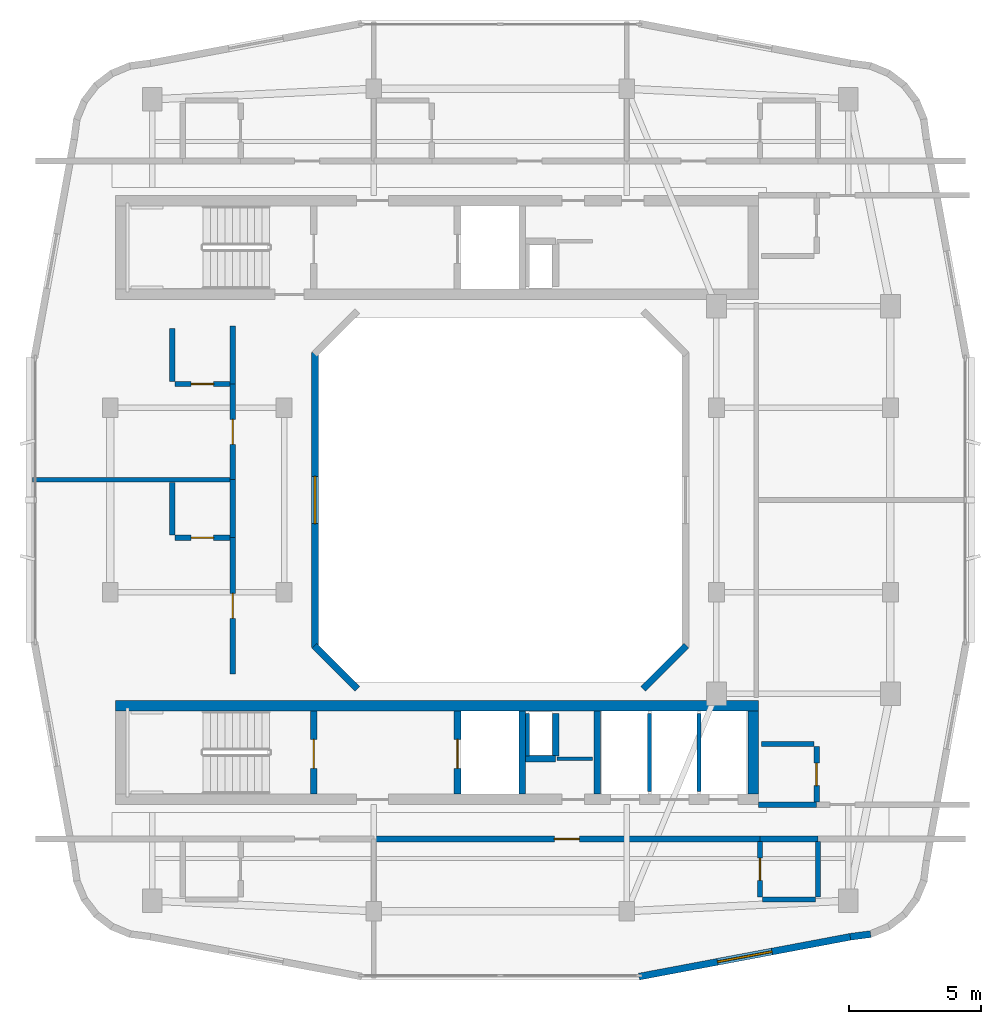
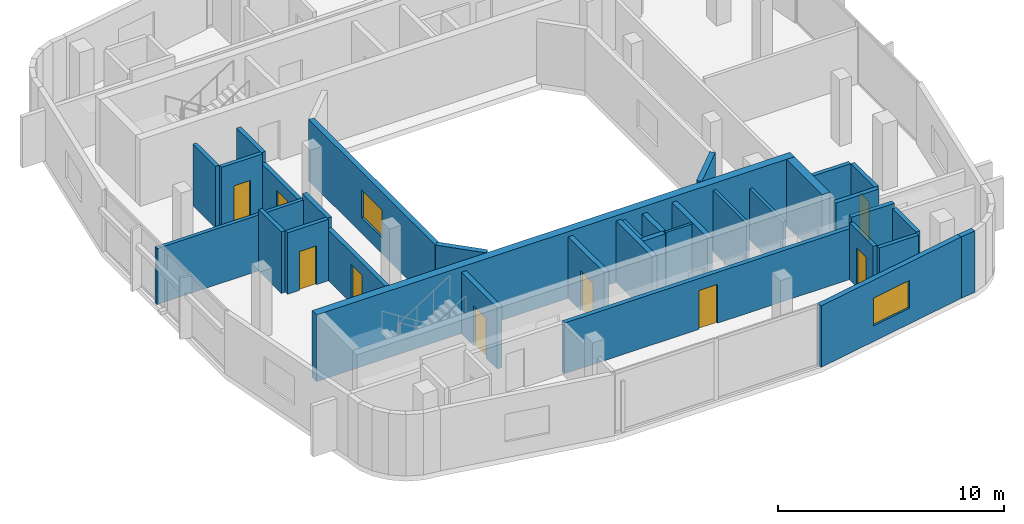
# One storey, part 5 of 10: 34 walls, 9 doors, 2 windows, 11 openings.
"""IFC4 building model written with IfcOpenShell, lengths in metres."""

from ifc_helpers import new_model, si_unit, derived_unit, direction, frame, frame_2d, origin, place, context, subcontext, project, spatial, rectangle, extrude, material, layer, layer_set, type_object, element, fill, save


model = new_model("IFC4")

# Units and contexts
model_context = context("Model", 3, precision=1e-05, world=origin(), true_north=direction((0.0, 1.0)))
body_context = subcontext(model_context, "Body", "Model", "MODEL_VIEW")
ifc_project = project(units=[si_unit("LENGTHUNIT", "METRE"), si_unit("AREAUNIT", "SQUARE_METRE"), si_unit("VOLUMEUNIT", "CUBIC_METRE"), si_unit("PLANEANGLEUNIT", "RADIAN"), si_unit("MASSUNIT", "GRAM", prefix="KILO"), derived_unit("THERMALTRANSMITTANCEUNIT", [(si_unit("POWERUNIT", "WATT"), 1), (si_unit("LENGTHUNIT", "METRE"), -2), (si_unit("THERMODYNAMICTEMPERATUREUNIT", "KELVIN"), -1)])], contexts=[model_context])

# Site, building, storey
site_placement = place(None, origin())
site = spatial("IfcSite", under=ifc_project, at=site_placement, CompositionType="ELEMENT")
building_placement = place(site_placement, origin())
building = spatial("IfcBuilding", under=site, at=building_placement, Name="Kivonza Crest Hotel", CompositionType="ELEMENT")
storey_placement = place(building_placement, frame((0.0, 0.0, 250.39990234375)))
storey = spatial("IfcBuildingStorey", under=building, at=storey_placement, Name="L68", CompositionType="ELEMENT", Elevation=250.39990234375)

# Walls
ifc_material_1 = material(Name="High-density acoustic masonry inter-tenancy wall", Category="masonry")
ifc_layer_1 = layer(ifc_material_1, 0.179931640625)
ifc_layer_set_1 = layer_set([ifc_layer_1], Name="High-density acoustic masonry inter-tenancy wall")
wall_type_1 = type_object("IfcWallType", Name="WL-ACOU-180", PredefinedType="SOLIDWALL", material=ifc_layer_set_1)
wall_1_placement = place(storey_placement, frame((3.260009765625, 25.77001953125, 0.0), z_axis=(0.0, 0.0, 1.0), x_axis=(1.0, 0.0, 0.0)))
element("IfcWall", 1, at=wall_1_placement, inside=storey, type_object=wall_type_1, Name="L68 interior partition WA-L68-T1W-DIV1", PredefinedType="SOLIDWALL", context=body_context, shape_type="SweptSolid", body=[
    extrude(rectangle(XDim=7.590087890625, YDim=0.179931640625, at=frame_2d((3.794921875, 0.0))), origin(), (0.0, 0.0, 1.0), 3.01513671875),
])
ifc_material_2 = material(Name="Autoclaved aerated concrete blockwork", Category="masonry")
ifc_layer_2 = layer(ifc_material_2, 0.219970703125)
ifc_layer_set_2 = layer_set([ifc_layer_2], Name="Autoclaved aerated concrete blockwork")
wall_type_2 = type_object("IfcWallType", Name="WL-ACOU-220", PredefinedType="SOLIDWALL", material=ifc_layer_set_2)
wall_2_placement = place(storey_placement, frame((30.85009765625, 12.139892578125, 0.0), z_axis=(0.0, 0.0, 1.0), x_axis=(1.0, 0.0, 0.0)))
element("IfcWall", 2, at=wall_2_placement, inside=storey, type_object=wall_type_2, Name="L68 interior partition WA-L68-S05-BCORR", PredefinedType="SOLIDWALL", context=body_context, shape_type="SweptSolid", body=[
    extrude(rectangle(XDim=2.199951171875, YDim=0.219970703125, at=frame_2d((1.10009765625, 0.0))), origin(), (0.0, 0.0, 1.0), 3.320068359375),
])

# Wall, opening, door
wall_3_placement = place(storey_placement, frame((16.199951171875, 12.139892578125, 0.0), z_axis=(0.0, 0.0, 1.0), x_axis=(1.0, 0.0, 0.0)))
wall_3 = element("IfcWall", 3, at=wall_3_placement, inside=storey, type_object=wall_type_2, Name="L68 interior partition WA-L68-S05-MCORR", PredefinedType="SOLIDWALL", context=body_context, shape_type="SweptSolid", body=[
    extrude(rectangle(XDim=14.650146484375, YDim=0.219970703125, at=frame_2d((7.3251953125, 0.0))), origin(), (0.0, 0.0, 1.0), 2.7451171875),
])
opening_1_placement = place(wall_3_placement, frame((6.85009765625, 0.0, 0.0)))
opening_1 = element("IfcOpeningElement", 4, at=opening_1_placement, cuts=wall_3, Name="Opening DU-60", PredefinedType="OPENING", context=body_context, shape_type="SweptSolid", body=[
    extrude(rectangle(XDim=0.949951171875, YDim=2.10009765625, at=frame_2d((0.47509765625, 1.050048828125))), frame((0.0, 0.1201171875, 0.0), z_axis=(0.0, -1.0, 0.0), x_axis=(1.0, 0.0, 0.0)), (0.0, 0.0, 1.0), 0.239990234375),
])
ifc_material_3 = material(Name="Hardwood timber oak", Category="wood")
door_type_1 = type_object("IfcDoorType", Name="DR-UNIT-950", OperationType="NOTDEFINED", PredefinedType="DOOR", material=ifc_material_3)
door_1_placement = place(opening_1_placement, frame((0.949951171875, 0.0, 0.0), z_axis=(0.0, 0.0, 1.0), x_axis=(-1.0, 0.0, 0.0)))
door_1 = element("IfcDoor", 5, at=door_1_placement, inside=storey, type_object=door_type_1, Name="L68 S05 guest unit entrance fire door", OperationType="SINGLE_SWING_LEFT", OverallHeight=2.10009765625, OverallWidth=0.949951171875, PredefinedType="DOOR", context=body_context, shape_type="SweptSolid", body=[
    extrude(rectangle(XDim=0.949951171875, YDim=2.10009765625, at=frame_2d((0.47509765625, 1.050048828125))), frame((0.0, 0.02490234375, 0.0), z_axis=(0.0, -1.0, 0.0), x_axis=(1.0, 0.0, 0.0)), (0.0, 0.0, 1.0), 0.050048828125),
])
fill(opening_1, door_1)

# Wall
wall_4_placement = place(storey_placement, frame((10.85009765625, 23.570068359375, 0.0), z_axis=(0.0, 0.0, 1.0), x_axis=(0.0, 1.0, 0.0)))
element("IfcWall", 6, at=wall_4_placement, inside=storey, type_object=wall_type_2, Name="L68 interior partition WA-L68-W06-BCORR", PredefinedType="SOLIDWALL", context=body_context, shape_type="SweptSolid", body=[
    extrude(rectangle(XDim=2.199951171875, YDim=0.219970703125, at=frame_2d((1.10009765625, 0.0))), origin(), (0.0, 0.0, 1.0), 3.320068359375),
])

# Wall, opening, door
wall_5_placement = place(storey_placement, frame((10.85009765625, 18.39990234375, 0.0), z_axis=(0.0, 0.0, 1.0), x_axis=(0.0, 1.0, 0.0)))
wall_5 = element("IfcWall", 7, at=wall_5_placement, inside=storey, type_object=wall_type_2, Name="L68 interior partition WA-L68-W06-MCORR", PredefinedType="SOLIDWALL", context=body_context, shape_type="SweptSolid", body=[
    extrude(rectangle(XDim=5.170166015625, YDim=0.219970703125, at=frame_2d((2.5849609375, 0.0))), origin(), (0.0, 0.0, 1.0), 2.7451171875),
])
opening_2_placement = place(wall_5_placement, frame((2.110107421875, 0.0, 0.0)))
opening_2 = element("IfcOpeningElement", 8, at=opening_2_placement, cuts=wall_5, Name="Opening DU-60", PredefinedType="OPENING", context=body_context, shape_type="SweptSolid", body=[
    extrude(rectangle(XDim=0.949951171875, YDim=2.10009765625, at=frame_2d((0.47509765625, 1.050048828125))), frame((0.0, 0.1201171875, 0.0), z_axis=(0.0, -1.0, 0.0), x_axis=(1.0, 0.0, 0.0)), (0.0, 0.0, 1.0), 0.239990234375),
])
door_2_placement = place(opening_2_placement, origin())
door_2 = element("IfcDoor", 9, at=door_2_placement, inside=storey, type_object=door_type_1, Name="L68 W06 guest unit entrance fire door", OperationType="SINGLE_SWING_RIGHT", OverallHeight=2.10009765625, OverallWidth=0.949951171875, PredefinedType="DOOR", context=body_context, shape_type="SweptSolid", body=[
    extrude(rectangle(XDim=0.949951171875, YDim=2.10009765625, at=frame_2d((0.47509765625, 1.050048828125))), frame((0.0, 0.02490234375, 0.0), z_axis=(0.0, -1.0, 0.0), x_axis=(1.0, 0.0, 0.0)), (0.0, 0.0, 1.0), 0.050048828125),
])
fill(opening_2, door_2)

# Wall
wall_6_placement = place(storey_placement, frame((10.85009765625, 29.39990234375, 0.0), z_axis=(0.0, 0.0, 1.0), x_axis=(0.0, 1.0, 0.0)))
element("IfcWall", 10, at=wall_6_placement, inside=storey, type_object=wall_type_2, Name="L68 interior partition WA-L68-W07-BCORR", PredefinedType="SOLIDWALL", context=body_context, shape_type="SweptSolid", body=[
    extrude(rectangle(XDim=2.2001953125, YDim=0.219970703125, at=frame_2d((1.10009765625, 0.0))), origin(), (0.0, 0.0, 1.0), 3.320068359375),
])

# Wall, opening, door
wall_7_placement = place(storey_placement, frame((10.85009765625, 25.77001953125, 0.0), z_axis=(0.0, 0.0, 1.0), x_axis=(0.0, 1.0, 0.0)))
wall_7 = element("IfcWall", 11, at=wall_7_placement, inside=storey, type_object=wall_type_2, Name="L68 interior partition WA-L68-W07-MCORR", PredefinedType="SOLIDWALL", context=body_context, shape_type="SweptSolid", body=[
    extrude(rectangle(XDim=3.6298828125, YDim=0.219970703125, at=frame_2d((1.81494140625, 0.0))), origin(), (0.0, 0.0, 1.0), 2.7451171875),
])
opening_3_placement = place(wall_7_placement, frame((1.340087890625, 0.0, 0.0)))
opening_3 = element("IfcOpeningElement", 12, at=opening_3_placement, cuts=wall_7, Name="Opening DU-60", PredefinedType="OPENING", context=body_context, shape_type="SweptSolid", body=[
    extrude(rectangle(XDim=0.949951171875, YDim=2.10009765625, at=frame_2d((0.47509765625, 1.050048828125))), frame((0.0, 0.1201171875, 0.0), z_axis=(0.0, -1.0, 0.0), x_axis=(1.0, 0.0, 0.0)), (0.0, 0.0, 1.0), 0.239990234375),
])
door_3_placement = place(opening_3_placement, origin())
door_3 = element("IfcDoor", 13, at=door_3_placement, inside=storey, type_object=door_type_1, Name="L68 W07 guest unit entrance fire door", OperationType="SINGLE_SWING_LEFT", OverallHeight=2.10009765625, OverallWidth=0.949951171875, PredefinedType="DOOR", context=body_context, shape_type="SweptSolid", body=[
    extrude(rectangle(XDim=0.949951171875, YDim=2.10009765625, at=frame_2d((0.47509765625, 1.050048828125))), frame((0.0, 0.02490234375, 0.0), z_axis=(0.0, -1.0, 0.0), x_axis=(1.0, 0.0, 0.0)), (0.0, 0.0, 1.0), 0.050048828125),
])
fill(opening_3, door_3)

# Walls
wall_8_placement = place(storey_placement, frame((30.800048828125, 13.43994140625, 0.0), z_axis=(0.0, 0.0, 1.0), x_axis=(1.0, 0.0, 0.0)))
element("IfcWall", 14, at=wall_8_placement, inside=storey, type_object=wall_type_2, Name="L68 interior partition WA-L68-ES08-BCORR", PredefinedType="SOLIDWALL", context=body_context, shape_type="SweptSolid", body=[
    extrude(rectangle(XDim=2.199951171875, YDim=0.219970703125, at=frame_2d((1.10009765625, 0.0))), origin(), (0.0, 0.0, 1.0), 3.320068359375),
])
ifc_material_4 = material(Name="Concrete C50/60", Category="concrete")
ifc_layer_3 = layer(ifc_material_4, 0.39990234375)
ifc_layer_set_3 = layer_set([ifc_layer_3], Name="Concrete C50/60")
wall_type_3 = type_object("IfcWallType", Name="WL-CORE-400", PredefinedType="SHEAR", material=ifc_layer_set_3)
wall_9_placement = place(storey_placement, frame((6.39990234375, 17.199951171875, 0.0), z_axis=(0.0, 0.0, 1.0), x_axis=(1.0, 0.0, 0.0)))
element("IfcWall", 15, at=wall_9_placement, inside=storey, type_object=wall_type_3, Name="Core wall T1-S North L68", PredefinedType="SHEAR", context=body_context, shape_type="SweptSolid", body=[
    extrude(rectangle(XDim=24.400146484375, YDim=0.39990234375, at=frame_2d((12.2001953125, 0.0))), origin(), (0.0, 0.0, 1.0), 3.60009765625),
])
wall_10_placement = place(storey_placement, frame((30.60009765625, 13.840087890625, 0.0), z_axis=(0.0, 0.0, 1.0), x_axis=(0.0, 1.0, 0.0)))
element("IfcWall", 16, at=wall_10_placement, inside=storey, type_object=wall_type_3, Name="Core wall T1-S East L68", PredefinedType="SHEAR", context=body_context, shape_type="SweptSolid", body=[
    extrude(rectangle(XDim=3.159912109375, YDim=0.39990234375, at=frame_2d((1.580078125, 0.0))), origin(), (0.0, 0.0, 1.0), 3.60009765625),
])

# Wall, opening, window
ifc_material_5 = material(Name="Precast concrete C40/50", Category="concrete")
ifc_layer_4 = layer(ifc_material_5, 0.260009765625)
ifc_layer_set_4 = layer_set([ifc_layer_4], Name="Precast concrete C40/50")
wall_type_4 = type_object("IfcWallType", Name="WL-EXT-260", PredefinedType="STANDARD", material=ifc_layer_set_4)
wall_11_placement = place(storey_placement, frame((26.261962890625, 6.91796875, 0.0), z_axis=(0.0, 0.0, 1.0), x_axis=(0.982719489139, 0.185101068789, 0.0)))
wall_11 = element("IfcWall", 17, at=wall_11_placement, inside=storey, type_object=wall_type_4, Name="L68 T1 exterior insulated wall 9", PredefinedType="STANDARD", context=body_context, shape_type="SweptSolid", body=[
    extrude(rectangle(XDim=8.1630859375, YDim=0.260009765625, at=frame_2d((4.08154296875, 0.0))), origin(), (0.0, 0.0, 1.0), 3.320068359375),
])
opening_4_placement = place(wall_11_placement, frame((3.031982421875, 0.0, 0.85009765625)))
opening_4 = element("IfcOpeningElement", 18, at=opening_4_placement, cuts=wall_11, Name="Opening WN-04", PredefinedType="OPENING", context=body_context, shape_type="SweptSolid", body=[
    extrude(rectangle(XDim=2.10009765625, YDim=1.5, at=frame_2d((1.050048828125, 0.75))), frame((0.0, 0.14013671875, 0.0), z_axis=(0.0, -1.0, 0.0), x_axis=(1.0, 0.0, 0.0)), (0.0, 0.0, 1.0), 0.280029296875),
])
ifc_material_6 = material(Name="Thermally broken bronze aluminium and low-E double glazing", Category="aluminium")
window_type_1 = type_object("IfcWindowType", Name="WN-210x150", PartitioningType="DOUBLE_PANEL_VERTICAL", PredefinedType="WINDOW", material=ifc_material_6)
window_1_placement = place(opening_4_placement, origin())
window_1 = element("IfcWindow", 19, at=window_1_placement, inside=storey, type_object=window_type_1, Name="L68 T1 facade window 9", OverallHeight=1.5, OverallWidth=2.10009765625, PartitioningType="SINGLE_PANEL", PredefinedType="WINDOW", context=body_context, shape_type="SweptSolid", body=[
    extrude(rectangle(XDim=2.10009765625, YDim=1.5, at=frame_2d((1.050048828125, 0.75))), frame((0.0, 0.030029296875, 0.0), z_axis=(0.0, -1.0, 0.0), x_axis=(1.0, 0.0, 0.0)), (0.0, 0.0, 1.0), 0.06005859375),
])
fill(opening_4, window_1)

# Walls
wall_12_placement = place(storey_placement, frame((34.27490234375, 8.427978515625, 0.0), z_axis=(0.0, 0.0, 1.0), x_axis=(0.991423406861, 0.130689052056, 0.0)))
element("IfcWall", 20, at=wall_12_placement, inside=storey, type_object=wall_type_4, Name="L68 T1 exterior insulated wall 10", PredefinedType="STANDARD", context=body_context, shape_type="SweptSolid", body=[
    extrude(rectangle(XDim=0.78076171875, YDim=0.260009765625, at=frame_2d((0.390380859375, 0.0))), origin(), (0.0, 0.0, 1.0), 3.320068359375),
])
wall_13_placement = place(storey_placement, frame((26.422119140625, 17.837890625, 0.0), z_axis=(0.0, 0.0, 1.0), x_axis=(0.707053950914, 0.707159607512, 0.0)))
element("IfcWall", 21, at=wall_13_placement, inside=storey, type_object=wall_type_4, Name="L68 T1 light-well exterior wall 2", PredefinedType="STANDARD", context=body_context, shape_type="SweptSolid", body=[
    extrude(rectangle(XDim=2.310791015625, YDim=0.260009765625, at=frame_2d((1.1552734375, 0.0))), origin(), (0.0, 0.0, 1.0), 3.320068359375),
])

# Wall, opening, window
wall_14_placement = place(storey_placement, frame((13.969970703125, 30.590087890625, 0.0), z_axis=(0.0, 0.0, 1.0), x_axis=(0.0, -1.0, 0.0)))
wall_14 = element("IfcWall", 22, at=wall_14_placement, inside=storey, type_object=wall_type_4, Name="L68 T1 light-well exterior wall 7", PredefinedType="STANDARD", context=body_context, shape_type="SweptSolid", body=[
    extrude(rectangle(XDim=11.18017578125, YDim=0.260009765625, at=frame_2d((5.590087890625, 0.0))), origin(), (0.0, 0.0, 1.0), 3.320068359375),
])
opening_5_placement = place(wall_14_placement, frame((4.68994140625, 0.0, 0.85009765625)))
opening_5 = element("IfcOpeningElement", 23, at=opening_5_placement, cuts=wall_14, Name="Opening WN-03", PredefinedType="OPENING", context=body_context, shape_type="SweptSolid", body=[
    extrude(rectangle(XDim=1.800048828125, YDim=1.5, at=frame_2d((0.89990234375, 0.75))), frame((0.0, 0.14013671875, 0.0), z_axis=(0.0, -1.0, 0.0), x_axis=(1.0, 0.0, 0.0)), (0.0, 0.0, 1.0), 0.280029296875),
])
window_type_2 = type_object("IfcWindowType", Name="WN-180x150", PartitioningType="DOUBLE_PANEL_VERTICAL", PredefinedType="WINDOW", material=ifc_material_6)
window_2_placement = place(opening_5_placement, origin())
window_2 = element("IfcWindow", 24, at=window_2_placement, inside=storey, type_object=window_type_2, Name="L68 T1 light-well window 7", OverallHeight=1.5, OverallWidth=1.800048828125, PartitioningType="SINGLE_PANEL", PredefinedType="WINDOW", context=body_context, shape_type="SweptSolid", body=[
    extrude(rectangle(XDim=1.800048828125, YDim=1.5, at=frame_2d((0.89990234375, 0.75))), frame((0.0, 0.030029296875, 0.0), z_axis=(0.0, -1.0, 0.0), x_axis=(1.0, 0.0, 0.0)), (0.0, 0.0, 1.0), 0.06005859375),
])
fill(opening_5, window_2)

# Walls
wall_15_placement = place(storey_placement, frame((13.944091796875, 19.471923828125, 0.0), z_axis=(0.0, 0.0, 1.0), x_axis=(0.707053950914, -0.707159607512, 0.0)))
element("IfcWall", 25, at=wall_15_placement, inside=storey, type_object=wall_type_4, Name="L68 T1 light-well exterior wall 8", PredefinedType="STANDARD", context=body_context, shape_type="SweptSolid", body=[
    extrude(rectangle(XDim=2.310791015625, YDim=0.260009765625, at=frame_2d((1.1552734375, 0.0))), origin(), (0.0, 0.0, 1.0), 3.320068359375),
])
ifc_material_7 = material(Name="Concrete blockwork fire-compartment wall", Category="masonry")
ifc_layer_5 = layer(ifc_material_7, 0.25)
ifc_layer_set_5 = layer_set([ifc_layer_5], Name="Concrete blockwork fire-compartment wall")
wall_type_5 = type_object("IfcWallType", Name="WL-FIRE-250", PredefinedType="SOLIDWALL", material=ifc_layer_set_5)
wall_16_placement = place(storey_placement, frame((23.10009765625, 15.280029296875, 0.0), z_axis=(0.0, 0.0, 1.0), x_axis=(0.0, 1.0, 0.0)))
element("IfcWall", 26, at=wall_16_placement, inside=storey, type_object=wall_type_5, Name="L68 interior partition WA-L68-T1-S-MEPR-E", PredefinedType="SOLIDWALL", context=body_context, shape_type="SweptSolid", body=[
    extrude(rectangle(XDim=1.619873046875, YDim=0.25, at=frame_2d((0.81005859375, 0.0))), origin(), (0.0, 0.0, 1.0), 3.320068359375),
])
wall_17_placement = place(storey_placement, frame((21.949951171875, 15.179931640625, 0.0), z_axis=(0.0, 0.0, 1.0), x_axis=(1.0, 0.0, 0.0)))
element("IfcWall", 27, at=wall_17_placement, inside=storey, type_object=wall_type_5, Name="L68 interior partition WA-L68-T1-S-MEPR-H", PredefinedType="SOLIDWALL", context=body_context, shape_type="SweptSolid", body=[
    extrude(rectangle(XDim=1.150146484375, YDim=0.25, at=frame_2d((0.5751953125, 0.0))), origin(), (0.0, 0.0, 1.0), 3.320068359375),
])
ifc_material_8 = material(Name="Metal-stud gypsum board partition", Category="gypsum")
ifc_layer_6 = layer(ifc_material_8, 0.125)
ifc_layer_set_6 = layer_set([ifc_layer_6], Name="Metal-stud gypsum board partition")
wall_type_6 = type_object("IfcWallType", Name="WL-PART-125", PredefinedType="PARTITIONING", material=ifc_layer_set_6)
wall_18_placement = place(storey_placement, frame((23.14990234375, 15.179931640625, 0.0), z_axis=(0.0, 0.0, 1.0), x_axis=(1.0, 0.0, 0.0)))
element("IfcWall", 28, at=wall_18_placement, inside=storey, type_object=wall_type_6, Name="L68 interior partition WP-L68-T1-S-SV2H", PredefinedType="PARTITIONING", context=body_context, shape_type="SweptSolid", body=[
    extrude(rectangle(XDim=1.35009765625, YDim=0.125, at=frame_2d((0.675048828125, 0.0))), origin(), (0.0, 0.0, 1.0), 3.320068359375),
])
ifc_material_9 = material(Name="Twin-stud acoustic gypsum board partition", Category="gypsum")
ifc_layer_7 = layer(ifc_material_9, 0.14990234375)
ifc_layer_set_7 = layer_set([ifc_layer_7], Name="Twin-stud acoustic gypsum board partition")
wall_type_7 = type_object("IfcWallType", Name="WL-PART-150", PredefinedType="PARTITIONING", material=ifc_layer_set_7)
wall_19_placement = place(storey_placement, frame((22.030029296875, 15.280029296875, 0.0), z_axis=(0.0, 0.0, 1.0), x_axis=(0.0, 1.0, 0.0)))
element("IfcWall", 29, at=wall_19_placement, inside=storey, type_object=wall_type_7, Name="L68 interior partition WA-L68-T1-S-MEPR-W", PredefinedType="PARTITIONING", context=body_context, shape_type="SweptSolid", body=[
    extrude(rectangle(XDim=1.619873046875, YDim=0.14990234375, at=frame_2d((0.81005859375, 0.0))), origin(), (0.0, 0.0, 1.0), 3.320068359375),
])
wall_20_placement = place(storey_placement, frame((26.6669921875, 13.93994140625, 0.0), z_axis=(0.0, 0.0, 1.0), x_axis=(0.0, 1.0, 0.0)))
element("IfcWall", 30, at=wall_20_placement, inside=storey, type_object=wall_type_7, Name="L68 interior partition WP-L68-T1-S-BSH-1", PredefinedType="PARTITIONING", context=body_context, shape_type="SweptSolid", body=[
    extrude(rectangle(XDim=2.9599609375, YDim=0.14990234375, at=frame_2d((1.47998046875, 0.0))), origin(), (0.0, 0.0, 1.0), 3.320068359375),
])
wall_21_placement = place(storey_placement, frame((28.532958984375, 13.93994140625, 0.0), z_axis=(0.0, 0.0, 1.0), x_axis=(0.0, 1.0, 0.0)))
element("IfcWall", 31, at=wall_21_placement, inside=storey, type_object=wall_type_7, Name="L68 interior partition WP-L68-T1-S-BSH-2", PredefinedType="PARTITIONING", context=body_context, shape_type="SweptSolid", body=[
    extrude(rectangle(XDim=2.9599609375, YDim=0.14990234375, at=frame_2d((1.47998046875, 0.0))), origin(), (0.0, 0.0, 1.0), 2.7451171875),
])

# Wall, opening, door
ifc_material_10 = material(Name="Moisture-resistant plumbing chase partition wall", Category="gypsum")
ifc_layer_8 = layer(ifc_material_10, 0.199951171875)
ifc_layer_set_8 = layer_set([ifc_layer_8], Name="Moisture-resistant plumbing chase partition wall")
wall_type_8 = type_object("IfcWallType", Name="WL-PLUMB-200", PredefinedType="PLUMBINGWALL", material=ifc_layer_set_8)
wall_22_placement = place(storey_placement, frame((30.85009765625, 9.93994140625, 0.0), z_axis=(0.0, 0.0, 1.0), x_axis=(0.0, 1.0, 0.0)))
wall_22 = element("IfcWall", 32, at=wall_22_placement, inside=storey, type_object=wall_type_8, Name="L68 interior partition WW-L68-S05-BV", PredefinedType="PLUMBINGWALL", context=body_context, shape_type="SweptSolid", body=[
    extrude(rectangle(XDim=2.10009765625, YDim=0.199951171875, at=frame_2d((1.050048828125, 0.0))), origin(), (0.0, 0.0, 1.0), 3.05517578125),
])
opening_6_placement = place(wall_22_placement, frame((0.625, 0.0, 0.0)))
opening_6 = element("IfcOpeningElement", 33, at=opening_6_placement, cuts=wall_22, Name="Opening DI-85", PredefinedType="OPENING", context=body_context, shape_type="SweptSolid", body=[
    extrude(rectangle(XDim=0.85009765625, YDim=2.10009765625, at=frame_2d((0.425048828125, 1.050048828125))), frame((0.0, 0.10986328125, 0.0), z_axis=(0.0, -1.0, 0.0), x_axis=(1.0, 0.0, 0.0)), (0.0, 0.0, 1.0), 0.219970703125),
])
door_type_2 = type_object("IfcDoorType", Name="DR-INT-850", OperationType="NOTDEFINED", PredefinedType="DOOR", material=ifc_material_3)
door_4_placement = place(opening_6_placement, origin())
door_4 = element("IfcDoor", 34, at=door_4_placement, inside=storey, type_object=door_type_2, Name="L68 S05 en-suite bathroom door", OperationType="SINGLE_SWING_RIGHT", OverallHeight=2.10009765625, OverallWidth=0.85009765625, PredefinedType="DOOR", context=body_context, shape_type="SweptSolid", body=[
    extrude(rectangle(XDim=0.85009765625, YDim=2.10009765625, at=frame_2d((0.425048828125, 1.050048828125))), frame((0.0, 0.02490234375, 0.0), z_axis=(0.0, -1.0, 0.0), x_axis=(1.0, 0.0, 0.0)), (0.0, 0.0, 1.0), 0.050048828125),
])
fill(opening_6, door_4)

# Walls
wall_23_placement = place(storey_placement, frame((30.949951171875, 9.840087890625, 0.0), z_axis=(0.0, 0.0, 1.0), x_axis=(1.0, 0.0, 0.0)))
element("IfcWall", 35, at=wall_23_placement, inside=storey, type_object=wall_type_8, Name="L68 interior partition WW-L68-S05-BH", PredefinedType="PLUMBINGWALL", context=body_context, shape_type="SweptSolid", body=[
    extrude(rectangle(XDim=2.0, YDim=0.199951171875, at=frame_2d((1.0, 0.0))), origin(), (0.0, 0.0, 1.0), 3.01513671875),
])
wall_24_placement = place(storey_placement, frame((33.050048828125, 9.93994140625, 0.0), z_axis=(0.0, 0.0, 1.0), x_axis=(0.0, 1.0, 0.0)))
element("IfcWall", 36, at=wall_24_placement, inside=storey, type_object=wall_type_8, Name="L68 interior partition WW-L68-S05-BVE", PredefinedType="PLUMBINGWALL", context=body_context, shape_type="SweptSolid", body=[
    extrude(rectangle(XDim=2.10009765625, YDim=0.199951171875, at=frame_2d((1.050048828125, 0.0))), origin(), (0.0, 0.0, 1.0), 3.05517578125),
])

# Wall, opening, door
wall_25_placement = place(storey_placement, frame((8.64990234375, 23.570068359375, 0.0), z_axis=(0.0, 0.0, 1.0), x_axis=(1.0, 0.0, 0.0)))
wall_25 = element("IfcWall", 37, at=wall_25_placement, inside=storey, type_object=wall_type_8, Name="L68 interior partition WW-L68-W06-BH", PredefinedType="PLUMBINGWALL", context=body_context, shape_type="SweptSolid", body=[
    extrude(rectangle(XDim=2.10009765625, YDim=0.199951171875, at=frame_2d((1.050048828125, 0.0))), origin(), (0.0, 0.0, 1.0), 3.320068359375),
])
opening_7_placement = place(wall_25_placement, frame((0.625, 0.0, 0.0)))
opening_7 = element("IfcOpeningElement", 38, at=opening_7_placement, cuts=wall_25, Name="Opening DI-85", PredefinedType="OPENING", context=body_context, shape_type="SweptSolid", body=[
    extrude(rectangle(XDim=0.85009765625, YDim=2.10009765625, at=frame_2d((0.425048828125, 1.050048828125))), frame((0.0, 0.10986328125, 0.0), z_axis=(0.0, -1.0, 0.0), x_axis=(1.0, 0.0, 0.0)), (0.0, 0.0, 1.0), 0.219970703125),
])
door_5_placement = place(opening_7_placement, frame((0.85009765625, 0.0, 0.0), z_axis=(0.0, 0.0, 1.0), x_axis=(-1.0, 0.0, 0.0)))
door_5 = element("IfcDoor", 39, at=door_5_placement, inside=storey, type_object=door_type_2, Name="L68 W06 en-suite bathroom door", OperationType="SINGLE_SWING_LEFT", OverallHeight=2.10009765625, OverallWidth=0.85009765625, PredefinedType="DOOR", context=body_context, shape_type="SweptSolid", body=[
    extrude(rectangle(XDim=0.85009765625, YDim=2.10009765625, at=frame_2d((0.425048828125, 1.050048828125))), frame((0.0, 0.02490234375, 0.0), z_axis=(0.0, -1.0, 0.0), x_axis=(1.0, 0.0, 0.0)), (0.0, 0.0, 1.0), 0.050048828125),
])
fill(opening_7, door_5)

# Wall
wall_26_placement = place(storey_placement, frame((8.550048828125, 23.669921875, 0.0), z_axis=(0.0, 0.0, 1.0), x_axis=(0.0, 1.0, 0.0)))
element("IfcWall", 40, at=wall_26_placement, inside=storey, type_object=wall_type_8, Name="L68 interior partition WW-L68-W06-BV", PredefinedType="PLUMBINGWALL", context=body_context, shape_type="SweptSolid", body=[
    extrude(rectangle(XDim=2.0, YDim=0.199951171875, at=frame_2d((1.0, 0.0))), origin(), (0.0, 0.0, 1.0), 3.320068359375),
])

# Wall, opening, door
wall_27_placement = place(storey_placement, frame((8.64990234375, 29.39990234375, 0.0), z_axis=(0.0, 0.0, 1.0), x_axis=(1.0, 0.0, 0.0)))
wall_27 = element("IfcWall", 41, at=wall_27_placement, inside=storey, type_object=wall_type_8, Name="L68 interior partition WW-L68-W07-BH", PredefinedType="PLUMBINGWALL", context=body_context, shape_type="SweptSolid", body=[
    extrude(rectangle(XDim=2.10009765625, YDim=0.199951171875, at=frame_2d((1.050048828125, 0.0))), origin(), (0.0, 0.0, 1.0), 3.320068359375),
])
opening_8_placement = place(wall_27_placement, frame((0.625, 0.0, 0.0)))
opening_8 = element("IfcOpeningElement", 42, at=opening_8_placement, cuts=wall_27, Name="Opening DI-85", PredefinedType="OPENING", context=body_context, shape_type="SweptSolid", body=[
    extrude(rectangle(XDim=0.85009765625, YDim=2.10009765625, at=frame_2d((0.425048828125, 1.050048828125))), frame((0.0, 0.10986328125, 0.0), z_axis=(0.0, -1.0, 0.0), x_axis=(1.0, 0.0, 0.0)), (0.0, 0.0, 1.0), 0.219970703125),
])
door_6_placement = place(opening_8_placement, frame((0.85009765625, 0.0, 0.0), z_axis=(0.0, 0.0, 1.0), x_axis=(-1.0, 0.0, 0.0)))
door_6 = element("IfcDoor", 43, at=door_6_placement, inside=storey, type_object=door_type_2, Name="L68 W07 en-suite bathroom door", OperationType="SINGLE_SWING_RIGHT", OverallHeight=2.10009765625, OverallWidth=0.85009765625, PredefinedType="DOOR", context=body_context, shape_type="SweptSolid", body=[
    extrude(rectangle(XDim=0.85009765625, YDim=2.10009765625, at=frame_2d((0.425048828125, 1.050048828125))), frame((0.0, 0.02490234375, 0.0), z_axis=(0.0, -1.0, 0.0), x_axis=(1.0, 0.0, 0.0)), (0.0, 0.0, 1.0), 0.050048828125),
])
fill(opening_8, door_6)

# Wall
wall_28_placement = place(storey_placement, frame((8.550048828125, 29.5, 0.0), z_axis=(0.0, 0.0, 1.0), x_axis=(0.0, 1.0, 0.0)))
element("IfcWall", 44, at=wall_28_placement, inside=storey, type_object=wall_type_8, Name="L68 interior partition WW-L68-W07-BV", PredefinedType="PLUMBINGWALL", context=body_context, shape_type="SweptSolid", body=[
    extrude(rectangle(XDim=2.0, YDim=0.199951171875, at=frame_2d((1.0, 0.0))), origin(), (0.0, 0.0, 1.0), 3.320068359375),
])

# Wall, opening, door
wall_29_placement = place(storey_placement, frame((33.0, 13.5400390625, 0.0), z_axis=(0.0, 0.0, 1.0), x_axis=(0.0, 1.0, 0.0)))
wall_29 = element("IfcWall", 45, at=wall_29_placement, inside=storey, type_object=wall_type_8, Name="L68 interior partition WW-L68-ES08-BV", PredefinedType="PLUMBINGWALL", context=body_context, shape_type="SweptSolid", body=[
    extrude(rectangle(XDim=2.099853515625, YDim=0.199951171875, at=frame_2d((1.0498046875, 0.0))), origin(), (0.0, 0.0, 1.0), 3.320068359375),
])
opening_9_placement = place(wall_29_placement, frame((0.625, 0.0, 0.0)))
opening_9 = element("IfcOpeningElement", 46, at=opening_9_placement, cuts=wall_29, Name="Opening DI-85", PredefinedType="OPENING", context=body_context, shape_type="SweptSolid", body=[
    extrude(rectangle(XDim=0.85009765625, YDim=2.10009765625, at=frame_2d((0.425048828125, 1.050048828125))), frame((0.0, 0.10986328125, 0.0), z_axis=(0.0, -1.0, 0.0), x_axis=(1.0, 0.0, 0.0)), (0.0, 0.0, 1.0), 0.219970703125),
])
door_7_placement = place(opening_9_placement, frame((0.85009765625, 0.0, 0.0), z_axis=(0.0, 0.0, 1.0), x_axis=(-1.0, 0.0, 0.0)))
door_7 = element("IfcDoor", 47, at=door_7_placement, inside=storey, type_object=door_type_2, Name="L68 ES08 en-suite bathroom door", OperationType="SINGLE_SWING_LEFT", OverallHeight=2.10009765625, OverallWidth=0.85009765625, PredefinedType="DOOR", context=body_context, shape_type="SweptSolid", body=[
    extrude(rectangle(XDim=0.85009765625, YDim=2.10009765625, at=frame_2d((0.425048828125, 1.050048828125))), frame((0.0, 0.02490234375, 0.0), z_axis=(0.0, -1.0, 0.0), x_axis=(1.0, 0.0, 0.0)), (0.0, 0.0, 1.0), 0.050048828125),
])
fill(opening_9, door_7)

# Wall
wall_30_placement = place(storey_placement, frame((30.89990234375, 15.739990234375, 0.0), z_axis=(0.0, 0.0, 1.0), x_axis=(1.0, 0.0, 0.0)))
element("IfcWall", 48, at=wall_30_placement, inside=storey, type_object=wall_type_8, Name="L68 interior partition WW-L68-ES08-BH", PredefinedType="PLUMBINGWALL", context=body_context, shape_type="SweptSolid", body=[
    extrude(rectangle(XDim=2.0, YDim=0.199951171875, at=frame_2d((1.0, 0.0))), origin(), (0.0, 0.0, 1.0), 3.320068359375),
])

# Wall, opening, door
ifc_layer_9 = layer(ifc_material_4, 0.25)
ifc_layer_set_9 = layer_set([ifc_layer_9], Name="Concrete C50/60")
wall_type_9 = type_object("IfcWallType", Name="WL-SHAFT-250", PredefinedType="STANDARD", material=ifc_layer_set_9)
wall_31_placement = place(storey_placement, frame((13.925048828125, 13.840087890625, 0.0), z_axis=(0.0, 0.0, 1.0), x_axis=(0.0, 1.0, 0.0)))
wall_31 = element("IfcWall", 49, at=wall_31_placement, inside=storey, type_object=wall_type_9, Name="Core shaft wall T1-S STAIR L68", PredefinedType="STANDARD", context=body_context, shape_type="SweptSolid", body=[
    extrude(rectangle(XDim=3.159912109375, YDim=0.25, at=frame_2d((1.580078125, 0.0))), origin(), (0.0, 0.0, 1.0), 3.320068359375),
])
opening_10_placement = place(wall_31_placement, frame((0.97998046875, 0.0, 0.0)))
opening_10 = element("IfcOpeningElement", 50, at=opening_10_placement, cuts=wall_31, Name="Opening DF-120", PredefinedType="OPENING", context=body_context, shape_type="SweptSolid", body=[
    extrude(rectangle(XDim=1.10009765625, YDim=2.14990234375, at=frame_2d((0.550048828125, 1.074951171875))), frame((0.0, 0.135009765625, 0.0), z_axis=(0.0, -1.0, 0.0), x_axis=(1.0, 0.0, 0.0)), (0.0, 0.0, 1.0), 0.27001953125),
])
ifc_material_11 = material(Name="Galvanised steel", Category="steel")
door_type_3 = type_object("IfcDoorType", Name="DR-FD120-1100", OperationType="NOTDEFINED", PredefinedType="DOOR", material=ifc_material_11)
door_8_placement = place(opening_10_placement, frame((1.10009765625, 0.0, 0.0), z_axis=(0.0, 0.0, 1.0), x_axis=(-1.0, 0.0, 0.0)))
door_8 = element("IfcDoor", 51, at=door_8_placement, inside=storey, type_object=door_type_3, Name="L68 T1-S stair fire door", OperationType="SINGLE_SWING_RIGHT", OverallHeight=2.14990234375, OverallWidth=1.10009765625, PredefinedType="DOOR", context=body_context, shape_type="SweptSolid", body=[
    extrude(rectangle(XDim=1.10009765625, YDim=2.14990234375, at=frame_2d((0.550048828125, 1.074951171875))), frame((0.0, 0.02490234375, 0.0), z_axis=(0.0, -1.0, 0.0), x_axis=(1.0, 0.0, 0.0)), (0.0, 0.0, 1.0), 0.050048828125),
])
fill(opening_10, door_8)

wall_32_placement = place(storey_placement, frame((19.375, 13.840087890625, 0.0), z_axis=(0.0, 0.0, 1.0), x_axis=(0.0, 1.0, 0.0)))
wall_32 = element("IfcWall", 52, at=wall_32_placement, inside=storey, type_object=wall_type_9, Name="Core shaft wall T1-S FFL-W L68", PredefinedType="STANDARD", context=body_context, shape_type="SweptSolid", body=[
    extrude(rectangle(XDim=3.159912109375, YDim=0.25, at=frame_2d((1.580078125, 0.0))), origin(), (0.0, 0.0, 1.0), 3.320068359375),
])
opening_11_placement = place(wall_32_placement, frame((0.97998046875, 0.0, 0.0)))
opening_11 = element("IfcOpeningElement", 53, at=opening_11_placement, cuts=wall_32, Name="Opening LD-120", PredefinedType="OPENING", context=body_context, shape_type="SweptSolid", body=[
    extrude(rectangle(XDim=1.10009765625, YDim=2.14990234375, at=frame_2d((0.550048828125, 1.074951171875))), frame((0.0, 0.135009765625, 0.0), z_axis=(0.0, -1.0, 0.0), x_axis=(1.0, 0.0, 0.0)), (0.0, 0.0, 1.0), 0.27001953125),
])
ifc_material_12 = material(Name="Stainless steel", Category="steel")
door_type_4 = type_object("IfcDoorType", Name="DR-LD120-1100", OperationType="NOTDEFINED", PredefinedType="DOOR", material=ifc_material_12)
door_9_placement = place(opening_11_placement, origin())
door_9 = element("IfcDoor", 54, at=door_9_placement, inside=storey, type_object=door_type_4, Name="L68 FFL-T1-S firefighting lift sliding landing door", OperationType="DOUBLE_DOOR_SLIDING", OverallHeight=2.14990234375, OverallWidth=1.10009765625, PredefinedType="DOOR", context=body_context, shape_type="SweptSolid", body=[
    extrude(rectangle(XDim=1.10009765625, YDim=2.14990234375, at=frame_2d((0.550048828125, 1.074951171875))), frame((0.0, 0.02490234375, 0.0), z_axis=(0.0, -1.0, 0.0), x_axis=(1.0, 0.0, 0.0)), (0.0, 0.0, 1.0), 0.050048828125),
])
fill(opening_11, door_9)

# Walls
for number, where, z_axis, x_axis, name in (
    (55, (21.824951171875, 13.840087890625, 0.0), (0.0, 0.0, 1.0), (0.0, 1.0, 0.0), "Core shaft wall T1-S FFL-E L68"),
    (56, (24.675048828125, 13.840087890625, 0.0), (0.0, 0.0, 1.0), (0.0, 1.0, 0.0), "Core shaft wall T1-S BANK-W L68"),
):
    element("IfcWall", number, at=place(storey_placement, frame(where, z_axis=z_axis, x_axis=x_axis)), inside=storey, type_object=wall_type_9, Name=name, PredefinedType="STANDARD", context=body_context, shape_type="SweptSolid", body=[
        extrude(rectangle(XDim=3.159912109375, YDim=0.25, at=frame_2d((1.580078125, 0.0))), origin(), (0.0, 0.0, 1.0), 3.320068359375),
    ])

save(model, "model.ifc")
